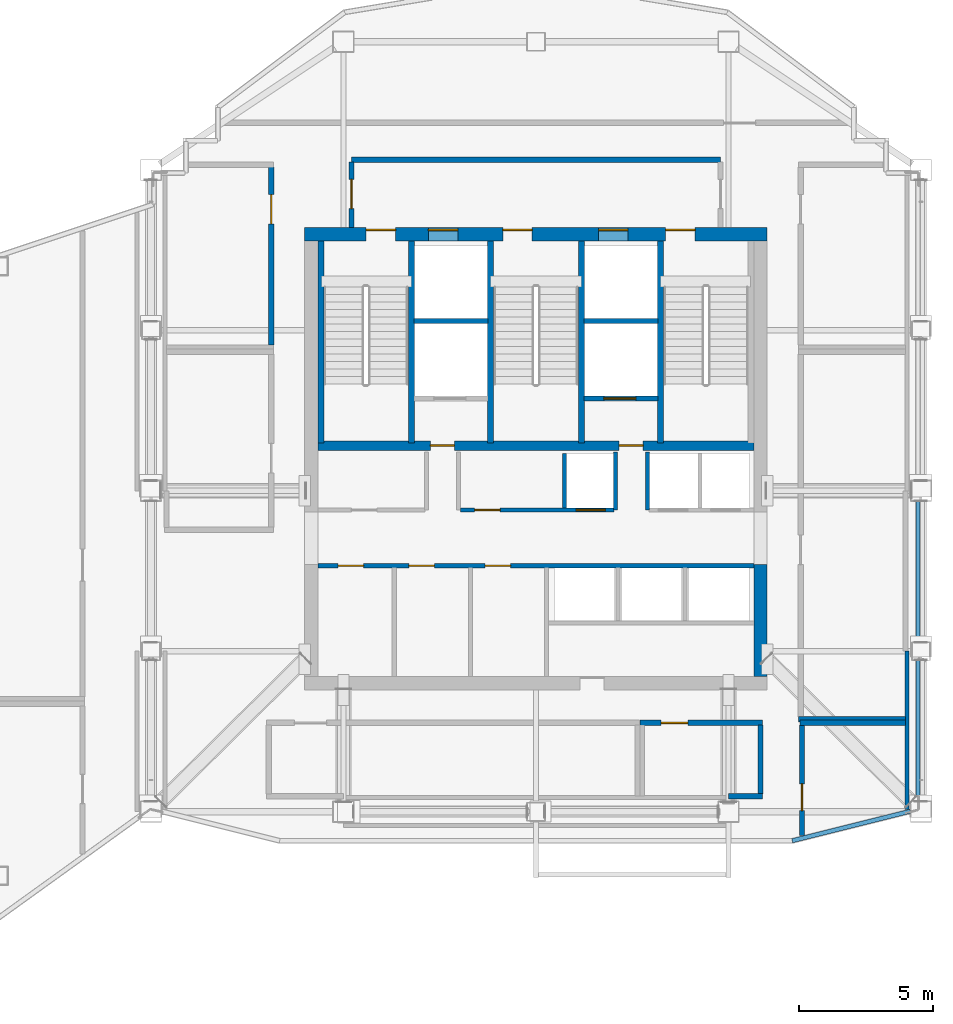
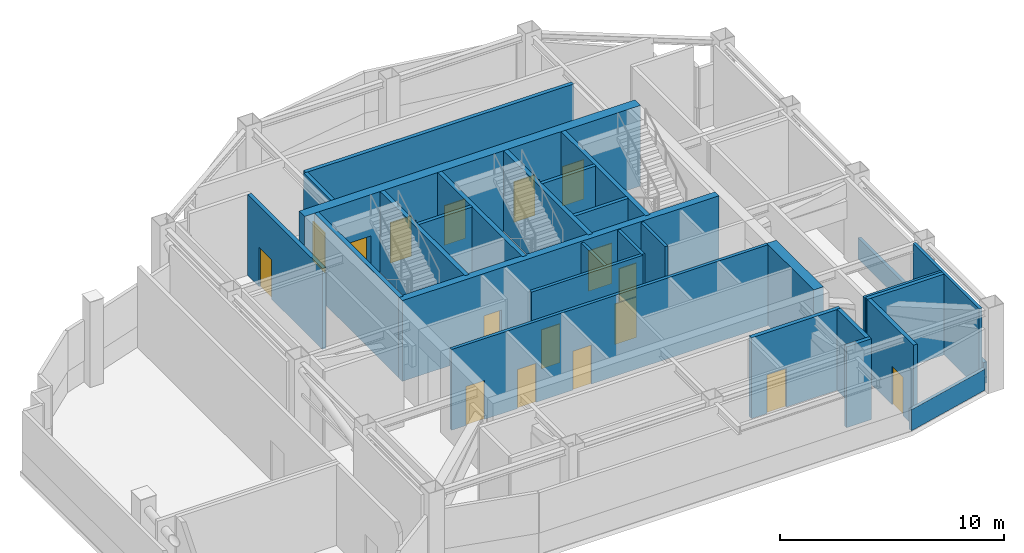
# One storey, part 11 of 15: 29 walls, 17 doors, 17 openings.
"""IFC4 building model written with IfcOpenShell, lengths in metres."""

from ifc_helpers import new_model, si_unit, direction, frame, frame_2d, origin, place, context, subcontext, project, spatial, rectangle, extrude, material, layer, layer_set, type_object, element, fill, save


model = new_model("IFC4")

# Units and contexts
model_context = context("Model", 3, precision=1e-05, world=origin(), true_north=direction((0.0, 1.0)))
body_context = subcontext(model_context, "Body", "Model", "MODEL_VIEW")
ifc_project = project(units=[si_unit("LENGTHUNIT", "METRE"), si_unit("AREAUNIT", "SQUARE_METRE"), si_unit("VOLUMEUNIT", "CUBIC_METRE"), si_unit("PLANEANGLEUNIT", "RADIAN"), si_unit("MASSUNIT", "GRAM", prefix="KILO")], contexts=[model_context])

# Site, building, storey
site_placement = place(None, origin())
site = spatial("IfcSite", under=ifc_project, at=site_placement, CompositionType="ELEMENT")
building_placement = place(site_placement, origin())
building = spatial("IfcBuilding", under=site, at=building_placement, Name="Haolan Belvedere Tower", CompositionType="ELEMENT")
storey_placement = place(building_placement, frame((0.0, 0.0, 277.550048828125)))
storey = spatial("IfcBuildingStorey", under=building, at=storey_placement, Name="L70", CompositionType="ELEMENT", Elevation=277.550048828125)

# Wall, openings, doors
ifc_material_1 = material(Name="Concrete C50/60", Category="concrete")
ifc_layer_1 = layer(ifc_material_1, 0.5, Name="Concrete C50/60")
ifc_layer_set_1 = layer_set([ifc_layer_1], Name="Concrete C50/60")
wall_type_1 = type_object("IfcWallType", Name="WL-CORE-500", PredefinedType="SHEAR", material=ifc_layer_set_1)
wall_1_placement = place(storey_placement, frame((29.75, 43.199951171875, 0.0), z_axis=(0.0, 0.0, 1.0), x_axis=(1.0, 0.0, 0.0)))
wall_1 = element("IfcWall", 1, at=wall_1_placement, inside=storey, type_object=wall_type_1, Name="L70 central core north shear wall", PredefinedType="SHEAR", context=body_context, shape_type="SweptSolid", body=[
    extrude(rectangle(XDim=17.300048828125, YDim=0.5, at=frame_2d((8.64990234375, 0.0))), origin(), (0.0, 0.0, 1.0), 4.39990234375),
])
opening_1_placement = place(wall_1_placement, frame((2.300048828125, 0.0, 0.0)))
opening_1 = element("IfcOpeningElement", 2, at=opening_1_placement, cuts=wall_1, Name="Opening FD-03", PredefinedType="OPENING", context=body_context, shape_type="SweptSolid", body=[
    extrude(rectangle(XDim=1.10009765625, YDim=2.14990234375, at=frame_2d((0.550048828125, 1.074951171875))), frame((0.0, 0.260009765625, 0.0), z_axis=(0.0, -1.0, 0.0), x_axis=(1.0, 0.0, 0.0)), (0.0, 0.0, 1.0), 0.52001953125),
])
opening_2_placement = place(wall_1_placement, frame((7.409912109375, 0.0, 0.0)))
opening_2 = element("IfcOpeningElement", 3, at=opening_2_placement, cuts=wall_1, Name="Opening FD-03", PredefinedType="OPENING", context=body_context, shape_type="SweptSolid", body=[
    extrude(rectangle(XDim=1.10009765625, YDim=2.14990234375, at=frame_2d((0.550048828125, 1.074951171875))), frame((0.0, 0.260009765625, 0.0), z_axis=(0.0, -1.0, 0.0), x_axis=(1.0, 0.0, 0.0)), (0.0, 0.0, 1.0), 0.52001953125),
])
opening_3_placement = place(wall_1_placement, frame((13.5, 0.0, 0.0)))
opening_3 = element("IfcOpeningElement", 4, at=opening_3_placement, cuts=wall_1, Name="Opening FD-03", PredefinedType="OPENING", context=body_context, shape_type="SweptSolid", body=[
    extrude(rectangle(XDim=1.10009765625, YDim=2.14990234375, at=frame_2d((0.550048828125, 1.074951171875))), frame((0.0, 0.260009765625, 0.0), z_axis=(0.0, -1.0, 0.0), x_axis=(1.0, 0.0, 0.0)), (0.0, 0.0, 1.0), 0.52001953125),
])
opening_4_placement = place(wall_1_placement, frame((4.6298828125, 0.0, 0.0)))
opening_4 = element("IfcOpeningElement", 5, at=opening_4_placement, cuts=wall_1, Name="Opening LD-01", PredefinedType="OPENING", context=body_context, shape_type="SweptSolid", body=[
    extrude(rectangle(XDim=1.10009765625, YDim=2.199951171875, at=frame_2d((0.550048828125, 1.10009765625))), frame((0.0, 0.260009765625, 0.0), z_axis=(0.0, -1.0, 0.0), x_axis=(1.0, 0.0, 0.0)), (0.0, 0.0, 1.0), 0.52001953125),
])
opening_5_placement = place(wall_1_placement, frame((10.989990234375, 0.0, 0.0)))
opening_5 = element("IfcOpeningElement", 6, at=opening_5_placement, cuts=wall_1, Name="Opening LD-01", PredefinedType="OPENING", context=body_context, shape_type="SweptSolid", body=[
    extrude(rectangle(XDim=1.10009765625, YDim=2.199951171875, at=frame_2d((0.550048828125, 1.10009765625))), frame((0.0, 0.260009765625, 0.0), z_axis=(0.0, -1.0, 0.0), x_axis=(1.0, 0.0, 0.0)), (0.0, 0.0, 1.0), 0.52001953125),
])
ifc_material_2 = material(Name="Galvanised fire-rated steel", Category="steel")
door_type_1 = type_object("IfcDoorType", Name="DR-FD90-1100", OperationType="NOTDEFINED", PredefinedType="DOOR", material=ifc_material_2)
door_1_placement = place(opening_1_placement, origin())
door_1 = element("IfcDoor", 7, at=door_1_placement, inside=storey, type_object=door_type_1, Name="L70 door CD-L70-ST1", OperationType="SINGLE_SWING_LEFT", OverallHeight=2.14990234375, OverallWidth=1.10009765625, PredefinedType="DOOR", context=body_context, shape_type="SweptSolid", body=[
    extrude(rectangle(XDim=1.10009765625, YDim=2.14990234375, at=frame_2d((0.550048828125, 1.074951171875))), frame((0.0, 0.18505859375, 0.0), z_axis=(0.0, -1.0, 0.0), x_axis=(1.0, 0.0, 0.0)), (0.0, 0.0, 1.0), 0.050048828125),
])
fill(opening_1, door_1)
door_2_placement = place(opening_2_placement, origin())
door_2 = element("IfcDoor", 8, at=door_2_placement, inside=storey, type_object=door_type_1, Name="L70 door CD-L70-ST3", OperationType="SINGLE_SWING_LEFT", OverallHeight=2.14990234375, OverallWidth=1.10009765625, PredefinedType="DOOR", context=body_context, shape_type="SweptSolid", body=[
    extrude(rectangle(XDim=1.10009765625, YDim=2.14990234375, at=frame_2d((0.550048828125, 1.074951171875))), frame((0.0, 0.18505859375, 0.0), z_axis=(0.0, -1.0, 0.0), x_axis=(1.0, 0.0, 0.0)), (0.0, 0.0, 1.0), 0.050048828125),
])
fill(opening_2, door_2)
door_3_placement = place(opening_3_placement, origin())
door_3 = element("IfcDoor", 9, at=door_3_placement, inside=storey, type_object=door_type_1, Name="L70 door CD-L70-ST2", OperationType="SINGLE_SWING_RIGHT", OverallHeight=2.14990234375, OverallWidth=1.10009765625, PredefinedType="DOOR", context=body_context, shape_type="SweptSolid", body=[
    extrude(rectangle(XDim=1.10009765625, YDim=2.14990234375, at=frame_2d((0.550048828125, 1.074951171875))), frame((0.0, 0.18505859375, 0.0), z_axis=(0.0, -1.0, 0.0), x_axis=(1.0, 0.0, 0.0)), (0.0, 0.0, 1.0), 0.050048828125),
])
fill(opening_3, door_3)
ifc_material_3 = material(Name="Brushed champagne stainless steel 316L", Category="steel")
door_type_2 = type_object("IfcDoorType", Name="DR-LIFT-1100", OperationType="SLIDING_TO_LEFT", PredefinedType="DOOR", material=ifc_material_3)
door_4_placement = place(opening_4_placement, origin())
door_4 = element("IfcDoor", 10, at=door_4_placement, inside=storey, type_object=door_type_2, Name="L70 door LD-L70-FF1", OperationType="SLIDING_TO_LEFT", OverallHeight=2.199951171875, OverallWidth=1.10009765625, PredefinedType="DOOR", context=body_context, shape_type="SweptSolid", body=[
    extrude(rectangle(XDim=1.10009765625, YDim=2.199951171875, at=frame_2d((0.550048828125, 1.10009765625))), frame((0.0, 0.18505859375, 0.0), z_axis=(0.0, -1.0, 0.0), x_axis=(1.0, 0.0, 0.0)), (0.0, 0.0, 1.0), 0.050048828125),
])
fill(opening_4, door_4)
door_5_placement = place(opening_5_placement, origin())
door_5 = element("IfcDoor", 11, at=door_5_placement, inside=storey, type_object=door_type_2, Name="L70 door LD-L70-FF2", OperationType="SLIDING_TO_LEFT", OverallHeight=2.199951171875, OverallWidth=1.10009765625, PredefinedType="DOOR", context=body_context, shape_type="SweptSolid", body=[
    extrude(rectangle(XDim=1.10009765625, YDim=2.199951171875, at=frame_2d((0.550048828125, 1.10009765625))), frame((0.0, 0.18505859375, 0.0), z_axis=(0.0, -1.0, 0.0), x_axis=(1.0, 0.0, 0.0)), (0.0, 0.0, 1.0), 0.050048828125),
])
fill(opening_5, door_5)

# Walls
wall_2_placement = place(storey_placement, frame((46.800048828125, 26.64990234375, 0.0), z_axis=(0.0, 0.0, 1.0), x_axis=(0.0, 1.0, 0.0)))
element("IfcWall", 12, at=wall_2_placement, inside=storey, type_object=wall_type_1, Name="L70 central core shear wall ES", PredefinedType="SHEAR", context=body_context, shape_type="SweptSolid", body=[
    extrude(rectangle(XDim=4.2001953125, YDim=0.5, at=frame_2d((2.10009765625, 0.0))), origin(), (0.0, 0.0, 1.0), 4.39990234375),
])
ifc_material_4 = material(Name="Concrete C40/50", Category="concrete")
ifc_layer_2 = layer(ifc_material_4, 0.199951171875, Name="Concrete C40/50")
ifc_layer_set_2 = layer_set([ifc_layer_2], Name="Concrete C40/50")
wall_type_2 = type_object("IfcWallType", Name="WL-FIRE-200", PredefinedType="SOLIDWALL", material=ifc_layer_set_2)
wall_3_placement = place(storey_placement, frame((31.5, 45.97998046875, 0.0), z_axis=(0.0, 0.0, 1.0), x_axis=(1.0, 0.0, 0.0)))
element("IfcWall", 13, at=wall_3_placement, inside=storey, type_object=wall_type_2, Name="L70 interior partition IW-L70-FFL-N", PredefinedType="SOLIDWALL", context=body_context, shape_type="SweptSolid", body=[
    extrude(rectangle(XDim=13.800048828125, YDim=0.199951171875, at=frame_2d((6.89990234375, 0.0))), origin(), (0.0, 0.0, 1.0), 4.39990234375),
])

# Wall, opening, door
wall_4_placement = place(storey_placement, frame((31.5, 43.449951171875, 0.0), z_axis=(0.0, 0.0, 1.0), x_axis=(0.0, 1.0, 0.0)))
wall_4 = element("IfcWall", 14, at=wall_4_placement, inside=storey, type_object=wall_type_2, Name="L70 interior partition IW-L70-FFL-W", PredefinedType="SOLIDWALL", context=body_context, shape_type="SweptSolid", body=[
    extrude(rectangle(XDim=2.445068359375, YDim=0.199951171875, at=frame_2d((1.22265625, 0.0))), origin(), (0.0, 0.0, 1.0), 4.39990234375),
])
opening_6_placement = place(wall_4_placement, frame((1.800048828125, 0.0, 0.0), z_axis=(0.0, 0.0, 1.0), x_axis=(-1.0, 0.0, 0.0)))
opening_6 = element("IfcOpeningElement", 15, at=opening_6_placement, cuts=wall_4, Name="Opening FD-03", PredefinedType="OPENING", context=body_context, shape_type="SweptSolid", body=[
    extrude(rectangle(XDim=1.10009765625, YDim=2.14990234375, at=frame_2d((0.550048828125, 1.074951171875))), frame((0.0, 0.10986328125, 0.0), z_axis=(0.0, -1.0, 0.0), x_axis=(1.0, 0.0, 0.0)), (0.0, 0.0, 1.0), 0.219970703125),
])
door_6_placement = place(opening_6_placement, origin())
door_6 = element("IfcDoor", 16, at=door_6_placement, inside=storey, type_object=door_type_1, Name="L70 door ID-L70-FFL-DW", OperationType="SINGLE_SWING_LEFT", OverallHeight=2.14990234375, OverallWidth=1.10009765625, PredefinedType="DOOR", context=body_context, shape_type="SweptSolid", body=[
    extrude(rectangle(XDim=1.10009765625, YDim=2.14990234375, at=frame_2d((0.550048828125, 1.074951171875))), frame((0.0, 0.02490234375, 0.0), z_axis=(0.0, -1.0, 0.0), x_axis=(1.0, 0.0, 0.0)), (0.0, 0.0, 1.0), 0.050048828125),
])
fill(opening_6, door_6)

wall_5_placement = place(storey_placement, frame((28.5, 39.044921875, 0.0), z_axis=(0.0, 0.0, 1.0), x_axis=(0.0, 1.0, 0.0)))
wall_5 = element("IfcWall", 17, at=wall_5_placement, inside=storey, type_object=wall_type_2, Name="L70 interior partition IW-L70-REF-W2-E", PredefinedType="SOLIDWALL", context=body_context, shape_type="SweptSolid", body=[
    extrude(rectangle(XDim=6.670166015625, YDim=0.199951171875, at=frame_2d((3.3349609375, 0.0))), origin(), (0.0, 0.0, 1.0), 4.39990234375),
])
opening_7_placement = place(wall_5_placement, frame((5.635009765625, 0.0, 0.0), z_axis=(0.0, 0.0, 1.0), x_axis=(-1.0, 0.0, 0.0)))
opening_7 = element("IfcOpeningElement", 18, at=opening_7_placement, cuts=wall_5, Name="Opening FD-03", PredefinedType="OPENING", context=body_context, shape_type="SweptSolid", body=[
    extrude(rectangle(XDim=1.10009765625, YDim=2.14990234375, at=frame_2d((0.550048828125, 1.074951171875))), frame((0.0, 0.10986328125, 0.0), z_axis=(0.0, -1.0, 0.0), x_axis=(1.0, 0.0, 0.0)), (0.0, 0.0, 1.0), 0.219970703125),
])
door_7_placement = place(opening_7_placement, origin())
door_7 = element("IfcDoor", 19, at=door_7_placement, inside=storey, type_object=door_type_1, Name="L70 door ID-L70-REF-W2", OperationType="SINGLE_SWING_RIGHT", OverallHeight=2.14990234375, OverallWidth=1.10009765625, PredefinedType="DOOR", context=body_context, shape_type="SweptSolid", body=[
    extrude(rectangle(XDim=1.10009765625, YDim=2.14990234375, at=frame_2d((0.550048828125, 1.074951171875))), frame((0.0, 0.02490234375, 0.0), z_axis=(0.0, -1.0, 0.0), x_axis=(1.0, 0.0, 0.0)), (0.0, 0.0, 1.0), 0.050048828125),
])
fill(opening_7, door_7)

# Wall
wall_6_placement = place(storey_placement, frame((48.219970703125, 25.050048828125, 0.0), z_axis=(0.0, 0.0, 1.0), x_axis=(1.0, 0.0, 0.0)))
element("IfcWall", 20, at=wall_6_placement, inside=storey, type_object=wall_type_2, Name="L70 interior partition IW-L70-REF-E1-S", PredefinedType="SOLIDWALL", context=body_context, shape_type="SweptSolid", body=[
    extrude(rectangle(XDim=4.0, YDim=0.199951171875, at=frame_2d((2.0, 0.0))), origin(), (0.0, 0.0, 1.0), 4.39990234375),
])

# Wall, opening, door
wall_7_placement = place(storey_placement, frame((42.284912109375, 24.919921875, 0.0), z_axis=(0.0, 0.0, 1.0), x_axis=(1.0, 0.0, 0.0)))
wall_7 = element("IfcWall", 21, at=wall_7_placement, inside=storey, type_object=wall_type_2, Name="L70 interior partition IW-L70-PLT-SUB-N", PredefinedType="SOLIDWALL", context=body_context, shape_type="SweptSolid", body=[
    extrude(rectangle(XDim=4.594970703125, YDim=0.199951171875, at=frame_2d((2.29736328125, 0.0))), origin(), (0.0, 0.0, 1.0), 4.39990234375),
])
opening_8_placement = place(wall_7_placement, frame((1.794921875, 0.0, 0.0), z_axis=(0.0, 0.0, 1.0), x_axis=(-1.0, 0.0, 0.0)))
opening_8 = element("IfcOpeningElement", 22, at=opening_8_placement, cuts=wall_7, Name="Opening FD-04", PredefinedType="OPENING", context=body_context, shape_type="SweptSolid", body=[
    extrude(rectangle(XDim=1.0, YDim=2.10009765625, at=frame_2d((0.5, 1.050048828125))), frame((0.0, 0.10986328125, 0.0), z_axis=(0.0, -1.0, 0.0), x_axis=(1.0, 0.0, 0.0)), (0.0, 0.0, 1.0), 0.219970703125),
])
door_type_3 = type_object("IfcDoorType", Name="DR-FD90-1000", OperationType="NOTDEFINED", PredefinedType="DOOR", material=ifc_material_2)
door_8_placement = place(opening_8_placement, origin())
door_8 = element("IfcDoor", 23, at=door_8_placement, inside=storey, type_object=door_type_3, Name="L70 door ID-L70-PLT-SUB", OperationType="SINGLE_SWING_RIGHT", OverallHeight=2.10009765625, OverallWidth=1.0, PredefinedType="DOOR", context=body_context, shape_type="SweptSolid", body=[
    extrude(rectangle(XDim=1.0, YDim=2.10009765625, at=frame_2d((0.5, 1.050048828125))), frame((0.0, 0.02490234375, 0.0), z_axis=(0.0, -1.0, 0.0), x_axis=(1.0, 0.0, 0.0)), (0.0, 0.0, 1.0), 0.050048828125),
])
fill(opening_8, door_8)

# Walls
wall_8_placement = place(storey_placement, frame((45.60205078125, 22.179931640625, 0.0), z_axis=(0.0, 0.0, 1.0), x_axis=(1.0, 0.0, 0.0)))
element("IfcWall", 24, at=wall_8_placement, inside=storey, type_object=wall_type_2, Name="L70 interior partition IW-L70-PLT-SUB-S", PredefinedType="SOLIDWALL", context=body_context, shape_type="SweptSolid", body=[
    extrude(rectangle(XDim=1.27783203125, YDim=0.199951171875, at=frame_2d((0.638916015625, 0.0))), origin(), (0.0, 0.0, 1.0), 4.39990234375),
])
wall_9_placement = place(storey_placement, frame((46.800048828125, 22.264892578125, 0.0), z_axis=(0.0, 0.0, 1.0), x_axis=(0.0, 1.0, 0.0)))
element("IfcWall", 25, at=wall_9_placement, inside=storey, type_object=wall_type_2, Name="L70 interior partition IW-L70-PLT-SUB-E", PredefinedType="SOLIDWALL", context=body_context, shape_type="SweptSolid", body=[
    extrude(rectangle(XDim=2.570068359375, YDim=0.199951171875, at=frame_2d((1.28515625, 0.0))), origin(), (0.0, 0.0, 1.0), 4.39990234375),
])
wall_10_placement = place(storey_placement, frame((48.27001953125, 24.919921875, 0.0), z_axis=(0.0, 0.0, 1.0), x_axis=(1.0, 0.0, 0.0)))
element("IfcWall", 26, at=wall_10_placement, inside=storey, type_object=wall_type_2, Name="L70 interior partition IW-L70-PLT-SE-N", PredefinedType="SOLIDWALL", context=body_context, shape_type="SweptSolid", body=[
    extrude(rectangle(XDim=3.949951171875, YDim=0.199951171875, at=frame_2d((1.97509765625, 0.0))), origin(), (0.0, 0.0, 1.0), 4.39990234375),
])

# Wall, opening, door
wall_11_placement = place(storey_placement, frame((48.35009765625, 20.7060546875, 0.0), z_axis=(0.0, 0.0, 1.0), x_axis=(0.0, 1.0, 0.0)))
wall_11 = element("IfcWall", 27, at=wall_11_placement, inside=storey, type_object=wall_type_2, Name="L70 interior partition IW-L70-PLT-SE-W", PredefinedType="SOLIDWALL", context=body_context, shape_type="SweptSolid", body=[
    extrude(rectangle(XDim=4.12890625, YDim=0.199951171875, at=frame_2d((2.064453125, 0.0))), origin(), (0.0, 0.0, 1.0), 4.39990234375),
])
opening_9_placement = place(wall_11_placement, frame((0.929931640625, 0.0, 0.0)))
opening_9 = element("IfcOpeningElement", 28, at=opening_9_placement, cuts=wall_11, Name="Opening FD-04", PredefinedType="OPENING", context=body_context, shape_type="SweptSolid", body=[
    extrude(rectangle(XDim=1.0, YDim=2.10009765625, at=frame_2d((0.5, 1.050048828125))), frame((0.0, 0.10986328125, 0.0), z_axis=(0.0, -1.0, 0.0), x_axis=(1.0, 0.0, 0.0)), (0.0, 0.0, 1.0), 0.219970703125),
])
door_9_placement = place(opening_9_placement, origin())
door_9 = element("IfcDoor", 29, at=door_9_placement, inside=storey, type_object=door_type_3, Name="L70 door ID-L70-PLT-SE", OperationType="SINGLE_SWING_LEFT", OverallHeight=2.10009765625, OverallWidth=1.0, PredefinedType="DOOR", context=body_context, shape_type="SweptSolid", body=[
    extrude(rectangle(XDim=1.0, YDim=2.10009765625, at=frame_2d((0.5, 1.050048828125))), frame((0.0, 0.02490234375, 0.0), z_axis=(0.0, -1.0, 0.0), x_axis=(1.0, 0.0, 0.0)), (0.0, 0.0, 1.0), 0.050048828125),
])
fill(opening_9, door_9)

# Walls
ifc_material_5 = material(Name="Precast concrete C40/50", Category="concrete")
ifc_layer_3 = layer(ifc_material_5, 0.159912109375, Name="Precast concrete C40/50")
ifc_layer_set_3 = layer_set([ifc_layer_3], Name="Precast concrete C40/50")
wall_type_3 = type_object("IfcWallType", Name="WL-PAR-160", PredefinedType="PARAPET", material=ifc_layer_set_3)
wall_12_placement = place(storey_placement, frame((47.986572265625, 20.510009765625, 0.0), z_axis=(0.0, 0.0, 1.0), x_axis=(0.970136197572, 0.242560833937, 0.0)))
element("IfcWall", 30, at=wall_12_placement, inside=storey, type_object=wall_type_3, Name="L70 refuge open-band parapet 2.1", PredefinedType="PARAPET", context=body_context, shape_type="SweptSolid", body=[
    extrude(rectangle(XDim=4.557373046875, YDim=0.159912109375, at=frame_2d((2.27880859375, 0.0))), origin(), (0.0, 0.0, 1.0), 1.14990234375),
])
for number, where, z_axis, x_axis, name in (
    (31, (52.68994140625, 21.991943359375, 0.0), (0.0, 0.0, 1.0), (0.0, 1.0, 0.0), "L70 refuge open-band parapet 3.1"),
    (32, (52.68994140625, 27.94189453125, 0.0), (0.0, 0.0, 1.0), (0.0, 1.0, 0.0), "L70 refuge open-band parapet 3.2"),
):
    element("IfcWall", number, at=place(storey_placement, frame(where, z_axis=z_axis, x_axis=x_axis)), inside=storey, type_object=wall_type_3, Name=name, PredefinedType="PARAPET", context=body_context, shape_type="SweptSolid", body=[
        extrude(rectangle(XDim=5.26611328125, YDim=0.159912109375, at=frame_2d((2.633056640625, 0.0))), origin(), (0.0, 0.0, 1.0), 1.14990234375),
    ])
ifc_material_6 = material(Name="Double gypsum acoustic stud partition", Category="masonry")
ifc_layer_4 = layer(ifc_material_6, 0.14990234375, Name="Double gypsum acoustic stud partition")
ifc_layer_set_4 = layer_set([ifc_layer_4], Name="Double gypsum acoustic stud partition")
wall_type_4 = type_object("IfcWallType", Name="WL-PART-150", PredefinedType="PARTITIONING", material=ifc_layer_set_4)
wall_13_placement = place(storey_placement, frame((52.280029296875, 21.6884765625, 0.0), z_axis=(0.0, 0.0, 1.0), x_axis=(0.0, 1.0, 0.0)))
element("IfcWall", 33, at=wall_13_placement, inside=storey, type_object=wall_type_4, Name="L70 interior partition IW-L70-CH-BTE1-2", PredefinedType="PARTITIONING", context=body_context, shape_type="SweptSolid", body=[
    extrude(rectangle(XDim=5.91162109375, YDim=0.14990234375, at=frame_2d((2.955810546875, 0.0))), origin(), (0.0, 0.0, 1.0), 4.39990234375),
])
ifc_material_7 = material(Name="Gypsum fire shaftwall assembly", Category="masonry")
ifc_layer_5 = layer(ifc_material_7, 0.1650390625, Name="Gypsum fire shaftwall assembly")
ifc_layer_set_5 = layer_set([ifc_layer_5], Name="Gypsum fire shaftwall assembly")
wall_type_5 = type_object("IfcWallType", Name="WL-SHAFT-160", PredefinedType="SOLIDWALL", material=ifc_layer_set_5)
for number, where, z_axis, x_axis, name in (
    (34, (41.3701171875, 32.8798828125, 0.0), (0.0, 0.0, 1.0), (0.0, 1.0, 0.0), "L70 interior partition IW-L70-SVP-W-SV2"),
    (35, (42.570068359375, 32.8798828125, 0.0), (0.0, 0.0, 1.0), (0.0, 1.0, 0.0), "L70 interior partition IW-L70-SVP-E-SV2"),
):
    element("IfcWall", number, at=place(storey_placement, frame(where, z_axis=z_axis, x_axis=x_axis)), inside=storey, type_object=wall_type_5, Name=name, PredefinedType="SOLIDWALL", context=body_context, shape_type="SweptSolid", body=[
        extrude(rectangle(XDim=2.170166015625, YDim=0.14990234375, at=frame_2d((1.0849609375, 0.0))), origin(), (0.0, 0.0, 1.0), 4.39990234375),
    ])

# Wall, openings, doors
wall_14_placement = place(storey_placement, frame((35.570068359375, 32.8798828125, 0.0), z_axis=(0.0, 0.0, 1.0), x_axis=(1.0, 0.0, 0.0)))
wall_14 = element("IfcWall", 36, at=wall_14_placement, inside=storey, type_object=wall_type_5, Name="L70 interior partition IW-L70-ROW-PN2", PredefinedType="SOLIDWALL", context=body_context, shape_type="SweptSolid", body=[
    extrude(rectangle(XDim=5.739990234375, YDim=0.159912109375, at=frame_2d((2.8701171875, 0.0))), origin(), (0.0, 0.0, 1.0), 4.39990234375),
])
opening_10_placement = place(wall_14_placement, frame((1.489990234375, 0.0, 0.0), z_axis=(0.0, 0.0, 1.0), x_axis=(-1.0, 0.0, 0.0)))
opening_10 = element("IfcOpeningElement", 37, at=opening_10_placement, cuts=wall_14, Name="Opening ID-03", PredefinedType="OPENING", context=body_context, shape_type="SweptSolid", body=[
    extrude(rectangle(XDim=0.949951171875, YDim=2.1201171875, at=frame_2d((0.47509765625, 1.06005859375))), frame((0.0, 0.08984375, 0.0), z_axis=(0.0, -1.0, 0.0), x_axis=(1.0, 0.0, 0.0)), (0.0, 0.0, 1.0), 0.179931640625),
])
opening_11_placement = place(wall_14_placement, frame((5.43017578125, 0.0, 0.0), z_axis=(0.0, 0.0, 1.0), x_axis=(-1.0, 0.0, 0.0)))
opening_11 = element("IfcOpeningElement", 38, at=opening_11_placement, cuts=wall_14, Name="Opening LD-01", PredefinedType="OPENING", context=body_context, shape_type="SweptSolid", body=[
    extrude(rectangle(XDim=1.10009765625, YDim=2.199951171875, at=frame_2d((0.550048828125, 1.10009765625))), frame((0.0, 0.08984375, 0.0), z_axis=(0.0, -1.0, 0.0), x_axis=(1.0, 0.0, 0.0)), (0.0, 0.0, 1.0), 0.179931640625),
])
ifc_material_8 = material(Name="Painted solid-core timber", Category="wood")
door_type_4 = type_object("IfcDoorType", Name="DR-INT-950", OperationType="NOTDEFINED", PredefinedType="DOOR", material=ifc_material_8)
door_10_placement = place(opening_10_placement, origin())
door_10 = element("IfcDoor", 39, at=door_10_placement, inside=storey, type_object=door_type_4, Name="L70 door ID-L70-CD-RPLE", OperationType="SINGLE_SWING_RIGHT", OverallHeight=2.1201171875, OverallWidth=0.949951171875, PredefinedType="DOOR", context=body_context, shape_type="SweptSolid", body=[
    extrude(rectangle(XDim=0.949951171875, YDim=2.1201171875, at=frame_2d((0.47509765625, 1.06005859375))), frame((0.0, 0.02490234375, 0.0), z_axis=(0.0, -1.0, 0.0), x_axis=(1.0, 0.0, 0.0)), (0.0, 0.0, 1.0), 0.050048828125),
])
fill(opening_10, door_10)
door_11_placement = place(opening_11_placement, origin())
door_11 = element("IfcDoor", 40, at=door_11_placement, inside=storey, type_object=door_type_2, Name="L70 door ID-L70-LD-PH1", OperationType="SLIDING_TO_RIGHT", OverallHeight=2.199951171875, OverallWidth=1.10009765625, PredefinedType="DOOR", context=body_context, shape_type="SweptSolid", body=[
    extrude(rectangle(XDim=1.10009765625, YDim=2.199951171875, at=frame_2d((0.550048828125, 1.10009765625))), frame((0.0, 0.02490234375, 0.0), z_axis=(0.0, -1.0, 0.0), x_axis=(1.0, 0.0, 0.0)), (0.0, 0.0, 1.0), 0.050048828125),
])
fill(opening_11, door_11)

# Wall
wall_15_placement = place(storey_placement, frame((39.469970703125, 32.949951171875, 0.0), z_axis=(0.0, 0.0, 1.0), x_axis=(0.0, 1.0, 0.0)))
element("IfcWall", 41, at=wall_15_placement, inside=storey, type_object=wall_type_5, Name="L70 interior partition IW-L70-DIV-PL4R", PredefinedType="SOLIDWALL", context=body_context, shape_type="SweptSolid", body=[
    extrude(rectangle(XDim=2.050048828125, YDim=0.14990234375, at=frame_2d((1.02490234375, 0.0))), origin(), (0.0, 0.0, 1.0), 4.39990234375),
])

# Wall, openings, doors
wall_16_placement = place(storey_placement, frame((30.25, 30.800048828125, 0.0), z_axis=(0.0, 0.0, 1.0), x_axis=(1.0, 0.0, 0.0)))
wall_16 = element("IfcWall", 42, at=wall_16_placement, inside=storey, type_object=wall_type_5, Name="L70 interior partition IW-L70-ROW-PS", PredefinedType="SOLIDWALL", context=body_context, shape_type="SweptSolid", body=[
    extrude(rectangle(XDim=16.300048828125, YDim=0.159912109375, at=frame_2d((8.14990234375, 0.0))), origin(), (0.0, 0.0, 1.0), 4.39990234375),
])
opening_12_placement = place(wall_16_placement, frame((0.75, 0.0, 0.0)))
opening_12 = element("IfcOpeningElement", 43, at=opening_12_placement, cuts=wall_16, Name="Opening ID-03", PredefinedType="OPENING", context=body_context, shape_type="SweptSolid", body=[
    extrude(rectangle(XDim=0.949951171875, YDim=2.1201171875, at=frame_2d((0.47509765625, 1.06005859375))), frame((0.0, 0.08984375, 0.0), z_axis=(0.0, -1.0, 0.0), x_axis=(1.0, 0.0, 0.0)), (0.0, 0.0, 1.0), 0.179931640625),
])
opening_13_placement = place(wall_16_placement, frame((3.39990234375, 0.0, 0.0)))
opening_13 = element("IfcOpeningElement", 44, at=opening_13_placement, cuts=wall_16, Name="Opening ID-03", PredefinedType="OPENING", context=body_context, shape_type="SweptSolid", body=[
    extrude(rectangle(XDim=0.949951171875, YDim=2.1201171875, at=frame_2d((0.47509765625, 1.06005859375))), frame((0.0, 0.08984375, 0.0), z_axis=(0.0, -1.0, 0.0), x_axis=(1.0, 0.0, 0.0)), (0.0, 0.0, 1.0), 0.179931640625),
])
opening_14_placement = place(wall_16_placement, frame((6.25, 0.0, 0.0)))
opening_14 = element("IfcOpeningElement", 45, at=opening_14_placement, cuts=wall_16, Name="Opening ID-03", PredefinedType="OPENING", context=body_context, shape_type="SweptSolid", body=[
    extrude(rectangle(XDim=0.949951171875, YDim=2.1201171875, at=frame_2d((0.47509765625, 1.06005859375))), frame((0.0, 0.08984375, 0.0), z_axis=(0.0, -1.0, 0.0), x_axis=(1.0, 0.0, 0.0)), (0.0, 0.0, 1.0), 0.179931640625),
])
door_12_placement = place(opening_12_placement, origin())
door_12 = element("IfcDoor", 46, at=door_12_placement, inside=storey, type_object=door_type_4, Name="L70 door ID-L70-CD-RPMA", OperationType="SINGLE_SWING_LEFT", OverallHeight=2.1201171875, OverallWidth=0.949951171875, PredefinedType="DOOR", context=body_context, shape_type="SweptSolid", body=[
    extrude(rectangle(XDim=0.949951171875, YDim=2.1201171875, at=frame_2d((0.47509765625, 1.06005859375))), frame((0.0, 0.02490234375, 0.0), z_axis=(0.0, -1.0, 0.0), x_axis=(1.0, 0.0, 0.0)), (0.0, 0.0, 1.0), 0.050048828125),
])
fill(opening_12, door_12)
door_13_placement = place(opening_13_placement, origin())
door_13 = element("IfcDoor", 47, at=door_13_placement, inside=storey, type_object=door_type_4, Name="L70 door ID-L70-CD-RPMB", OperationType="SINGLE_SWING_RIGHT", OverallHeight=2.1201171875, OverallWidth=0.949951171875, PredefinedType="DOOR", context=body_context, shape_type="SweptSolid", body=[
    extrude(rectangle(XDim=0.949951171875, YDim=2.1201171875, at=frame_2d((0.47509765625, 1.06005859375))), frame((0.0, 0.02490234375, 0.0), z_axis=(0.0, -1.0, 0.0), x_axis=(1.0, 0.0, 0.0)), (0.0, 0.0, 1.0), 0.050048828125),
])
fill(opening_13, door_13)
door_14_placement = place(opening_14_placement, origin())
door_14 = element("IfcDoor", 48, at=door_14_placement, inside=storey, type_object=door_type_4, Name="L70 door ID-L70-CD-RPMC", OperationType="SINGLE_SWING_LEFT", OverallHeight=2.1201171875, OverallWidth=0.949951171875, PredefinedType="DOOR", context=body_context, shape_type="SweptSolid", body=[
    extrude(rectangle(XDim=0.949951171875, YDim=2.1201171875, at=frame_2d((0.47509765625, 1.06005859375))), frame((0.0, 0.02490234375, 0.0), z_axis=(0.0, -1.0, 0.0), x_axis=(1.0, 0.0, 0.0)), (0.0, 0.0, 1.0), 0.050048828125),
])
fill(opening_14, door_14)

# Walls
ifc_layer_6 = layer(ifc_material_5, 0.179931640625, Name="Precast concrete C40/50")
ifc_layer_set_6 = layer_set([ifc_layer_6], Name="Precast concrete C40/50")
wall_type_6 = type_object("IfcWallType", Name="WL-SHAFT-180", PredefinedType="SOLIDWALL", material=ifc_layer_set_6)
for number, where, z_axis, x_axis, name in (
    (49, (33.8349609375, 39.949951171875, 0.0), (0.0, 0.0, 1.0), (1.0, 0.0, 0.0), "L70 interior partition IW-L70-FF1-S"),
    (50, (40.195068359375, 39.949951171875, 0.0), (0.0, 0.0, 1.0), (1.0, 0.0, 0.0), "L70 interior partition IW-L70-FF2-S"),
):
    element("IfcWall", number, at=place(storey_placement, frame(where, z_axis=z_axis, x_axis=x_axis)), inside=storey, type_object=wall_type_6, Name=name, PredefinedType="SOLIDWALL", context=body_context, shape_type="SweptSolid", body=[
        extrude(rectangle(XDim=2.77001953125, YDim=0.179931640625, at=frame_2d((1.385009765625, 0.0))), origin(), (0.0, 0.0, 1.0), 4.39990234375),
    ])

# Wall, opening, door
wall_17_placement = place(storey_placement, frame((40.195068359375, 37.050048828125, 0.0), z_axis=(0.0, 0.0, 1.0), x_axis=(1.0, 0.0, 0.0)))
wall_17 = element("IfcWall", 51, at=wall_17_placement, inside=storey, type_object=wall_type_6, Name="L70 interior partition IW-L70-SV2-S", PredefinedType="SOLIDWALL", context=body_context, shape_type="SweptSolid", body=[
    extrude(rectangle(XDim=2.77001953125, YDim=0.179931640625, at=frame_2d((1.385009765625, 0.0))), origin(), (0.0, 0.0, 1.0), 4.39990234375),
])
opening_15_placement = place(wall_17_placement, frame((1.945068359375, 0.0, 0.0), z_axis=(0.0, 0.0, 1.0), x_axis=(-1.0, 0.0, 0.0)))
opening_15 = element("IfcOpeningElement", 52, at=opening_15_placement, cuts=wall_17, Name="Opening LD-02", PredefinedType="OPENING", context=body_context, shape_type="SweptSolid", body=[
    extrude(rectangle(XDim=1.199951171875, YDim=2.199951171875, at=frame_2d((0.60009765625, 1.10009765625))), frame((0.0, 0.099853515625, 0.0), z_axis=(0.0, -1.0, 0.0), x_axis=(1.0, 0.0, 0.0)), (0.0, 0.0, 1.0), 0.199951171875),
])
door_type_5 = type_object("IfcDoorType", Name="DR-LIFT-1200", OperationType="SLIDING_TO_RIGHT", PredefinedType="DOOR", material=ifc_material_3)
door_15_placement = place(opening_15_placement, origin())
door_15 = element("IfcDoor", 53, at=door_15_placement, inside=storey, type_object=door_type_5, Name="L70 door ID-L70-LD-SV2", OperationType="SLIDING_TO_RIGHT", OverallHeight=2.199951171875, OverallWidth=1.199951171875, PredefinedType="DOOR", context=body_context, shape_type="SweptSolid", body=[
    extrude(rectangle(XDim=1.199951171875, YDim=2.199951171875, at=frame_2d((0.60009765625, 1.10009765625))), frame((0.0, 0.02490234375, 0.0), z_axis=(0.0, -1.0, 0.0), x_axis=(1.0, 0.0, 0.0)), (0.0, 0.0, 1.0), 0.050048828125),
])
fill(opening_15, door_15)

# Walls
ifc_layer_7 = layer(ifc_material_1, 0.219970703125, Name="Concrete C50/60")
ifc_layer_set_7 = layer_set([ifc_layer_7], Name="Concrete C50/60")
wall_type_7 = type_object("IfcWallType", Name="WL-STAIR-220", PredefinedType="SHEAR", material=ifc_layer_set_7)
for number, where, z_axis, x_axis, name in (
    (54, (30.362060546875, 35.389892578125, 0.0), (0.0, 0.0, 1.0), (0.0, 1.0, 0.0), "L70 structural stair core wall ST1W"),
    (55, (33.739990234375, 35.389892578125, 0.0), (0.0, 0.0, 1.0), (0.0, 1.0, 0.0), "L70 structural stair core wall ST1E"),
    (56, (36.699951171875, 35.389892578125, 0.0), (0.0, 0.0, 1.0), (0.0, 1.0, 0.0), "L70 structural stair core wall ST3W"),
    (57, (40.10009765625, 35.389892578125, 0.0), (0.0, 0.0, 1.0), (0.0, 1.0, 0.0), "L70 structural stair core wall ST3E"),
    (58, (43.06005859375, 35.389892578125, 0.0), (0.0, 0.0, 1.0), (0.0, 1.0, 0.0), "L70 structural stair core wall ST2W"),
):
    element("IfcWall", number, at=place(storey_placement, frame(where, z_axis=z_axis, x_axis=x_axis)), inside=storey, type_object=wall_type_7, Name=name, PredefinedType="SHEAR", context=body_context, shape_type="SweptSolid", body=[
        extrude(rectangle(XDim=7.56005859375, YDim=0.219970703125, at=frame_2d((3.780029296875, 0.0))), origin(), (0.0, 0.0, 1.0), 4.39990234375),
    ])

# Wall, openings, doors
ifc_material_9 = material(Name="Concrete C60/75", Category="concrete")
ifc_layer_8 = layer(ifc_material_9, 0.360107421875, Name="Concrete C60/75")
ifc_layer_set_8 = layer_set([ifc_layer_8], Name="Concrete C60/75")
wall_type_8 = type_object("IfcWallType", Name="WL-WEB-350", PredefinedType="SHEAR", material=ifc_layer_set_8)
wall_18_placement = place(storey_placement, frame((30.25, 35.2900390625, 0.0), z_axis=(0.0, 0.0, 1.0), x_axis=(1.0, 0.0, 0.0)))
wall_18 = element("IfcWall", 59, at=wall_18_placement, inside=storey, type_object=wall_type_8, Name="L70 central core internal shear web", PredefinedType="SHEAR", context=body_context, shape_type="SweptSolid", body=[
    extrude(rectangle(XDim=16.300048828125, YDim=0.360107421875, at=frame_2d((8.14990234375, 0.0))), origin(), (0.0, 0.0, 1.0), 4.39990234375),
])
opening_16_placement = place(wall_18_placement, frame((5.099853515625, 0.0, 0.0), z_axis=(0.0, 0.0, 1.0), x_axis=(-1.0, 0.0, 0.0)))
opening_16 = element("IfcOpeningElement", 60, at=opening_16_placement, cuts=wall_18, Name="Opening FD-05", PredefinedType="OPENING", context=body_context, shape_type="SweptSolid", body=[
    extrude(rectangle(XDim=0.89990234375, YDim=2.10009765625, at=frame_2d((0.449951171875, 1.050048828125))), frame((0.0, 0.18994140625, 0.0), z_axis=(0.0, -1.0, 0.0), x_axis=(1.0, 0.0, 0.0)), (0.0, 0.0, 1.0), 0.380126953125),
])
opening_17_placement = place(wall_18_placement, frame((12.159912109375, 0.0, 0.0), z_axis=(0.0, 0.0, 1.0), x_axis=(-1.0, 0.0, 0.0)))
opening_17 = element("IfcOpeningElement", 61, at=opening_17_placement, cuts=wall_18, Name="Opening FD-05", PredefinedType="OPENING", context=body_context, shape_type="SweptSolid", body=[
    extrude(rectangle(XDim=0.89990234375, YDim=2.10009765625, at=frame_2d((0.449951171875, 1.050048828125))), frame((0.0, 0.18994140625, 0.0), z_axis=(0.0, -1.0, 0.0), x_axis=(1.0, 0.0, 0.0)), (0.0, 0.0, 1.0), 0.380126953125),
])
door_type_6 = type_object("IfcDoorType", Name="DR-FD60-900", OperationType="NOTDEFINED", PredefinedType="DOOR", material=ifc_material_2)
door_16_placement = place(opening_16_placement, origin())
door_16 = element("IfcDoor", 62, at=door_16_placement, inside=storey, type_object=door_type_6, Name="L70 door CD-L70-SVL-SV1", OperationType="SINGLE_SWING_RIGHT", OverallHeight=2.10009765625, OverallWidth=0.89990234375, PredefinedType="DOOR", context=body_context, shape_type="SweptSolid", body=[
    extrude(rectangle(XDim=0.89990234375, YDim=2.10009765625, at=frame_2d((0.449951171875, 1.050048828125))), frame((0.0, 0.02490234375, 0.0), z_axis=(0.0, -1.0, 0.0), x_axis=(1.0, 0.0, 0.0)), (0.0, 0.0, 1.0), 0.050048828125),
])
fill(opening_16, door_16)
door_17_placement = place(opening_17_placement, origin())
door_17 = element("IfcDoor", 63, at=door_17_placement, inside=storey, type_object=door_type_6, Name="L70 door CD-L70-SVL-SV2", OperationType="SINGLE_SWING_RIGHT", OverallHeight=2.10009765625, OverallWidth=0.89990234375, PredefinedType="DOOR", context=body_context, shape_type="SweptSolid", body=[
    extrude(rectangle(XDim=0.89990234375, YDim=2.10009765625, at=frame_2d((0.449951171875, 1.050048828125))), frame((0.0, 0.02490234375, 0.0), z_axis=(0.0, -1.0, 0.0), x_axis=(1.0, 0.0, 0.0)), (0.0, 0.0, 1.0), 0.050048828125),
])
fill(opening_17, door_17)

save(model, "model.ifc")
